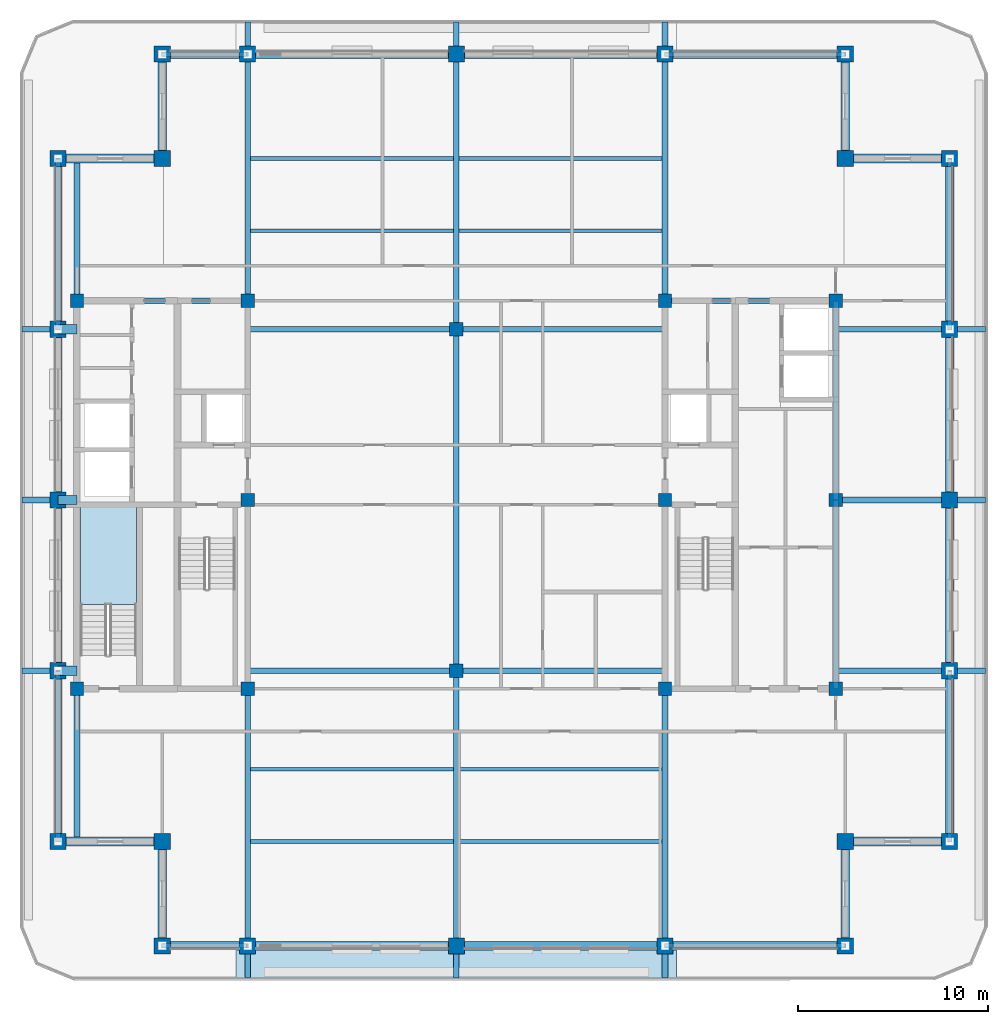
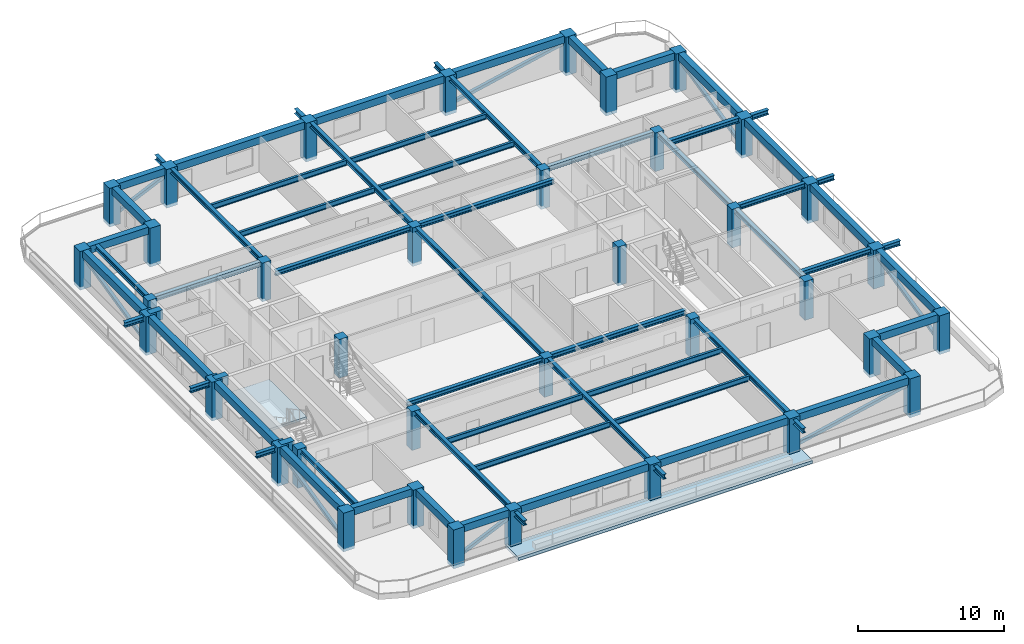
# One storey, part 1 of 11: 67 beams, 37 columns, 8 members, 2 slabs, 1 element without a shape of its own.
"""IFC4 building model written with IfcOpenShell, lengths in metres."""

import ifcopenshell
import ifcopenshell.guid

model = None  # the IFC model being written
_history = None  # IfcOwnerHistory: only IFC2X3 demands one
_inside = {}  # id of a spatial element -> (the spatial element, [elements in it])
_under = {}  # id of a project, library or spatial element -> (it, [spatial elements below it])
_declared = {}  # id of a project -> (the project, [libraries it declares])
_typed = {}  # id of a type object -> (the type object, [elements of that type])
_made_of = {}  # id of a material, layer set ... -> (it, [elements and type objects made of it])


def new_model(schema):
    """Start an empty IFC model of exactly this schema.

    Asked for "IFC4X3", IfcOpenShell would pick the latest addendum, in which some entities
    have other attributes; the version numbers below select the first issue.
    IFC2X3 requires an IfcOwnerHistory on every rooted entity: one is made here for all.
    """
    global model, _history
    if schema == "IFC4X3":
        model = ifcopenshell.file(schema_version=(4, 3, 0, 0))
    else:
        model = ifcopenshell.file(schema=schema)
    _inside.clear()
    _under.clear()
    _declared.clear()
    _typed.clear()
    _made_of.clear()
    _history = None
    if model.schema == "IFC2X3":
        org = make("IfcOrganization", Name="unknown")
        user = make(
            "IfcPersonAndOrganization",
            ThePerson=make("IfcPerson", FamilyName="unknown"),
            TheOrganization=org,
        )
        app = make(
            "IfcApplication",
            ApplicationDeveloper=org,
            Version="unknown",
            ApplicationFullName="unknown",
            ApplicationIdentifier="unknown",
        )
        _history = make(
            "IfcOwnerHistory",
            OwningUser=user,
            OwningApplication=app,
            ChangeAction="ADDED",
            CreationDate=0,
        )
    return model


def make(cls, **values):
    """One entity of the class cls with the attributes given. An attribute that is None is left unset."""
    return model.create_entity(
        cls, **{name: value for name, value in values.items() if value is not None}
    )


def rooted(cls, **values):
    """An entity with a GlobalId (a new one), such as an element, a storey or a relation."""
    return make(cls, GlobalId=ifcopenshell.guid.new(), OwnerHistory=_history, **values)


def si_unit(unit_type, name, prefix=None):
    """IfcSIUnit, for example si_unit("LENGTHUNIT", "METRE", prefix="MILLI")."""
    return make("IfcSIUnit", UnitType=unit_type, Prefix=prefix, Name=name)


def assignment(units):
    """IfcUnitAssignment: the units of a project."""
    return None if units is None else make("IfcUnitAssignment", Units=units)


def point(xyz):
    """IfcCartesianPoint."""
    return None if xyz is None else make("IfcCartesianPoint", Coordinates=xyz)


def direction(xyz):
    """IfcDirection."""
    return None if xyz is None else make("IfcDirection", DirectionRatios=xyz)


def frame(location, z_axis=None, x_axis=None):
    """IfcAxis2Placement3D, a coordinate frame: its origin and axes. An axis left out is left unset."""
    return make(
        "IfcAxis2Placement3D",
        Location=point(location),
        Axis=direction(z_axis),
        RefDirection=direction(x_axis),
    )


def frame_2d(location, x_axis=None):
    """IfcAxis2Placement2D, a coordinate frame in the plane: its origin and x axis."""
    return make(
        "IfcAxis2Placement2D", Location=point(location), RefDirection=direction(x_axis)
    )


def origin():
    """The frame at (0, 0, 0) with its axes left unset."""
    return frame((0.0, 0.0, 0.0))


def origin_2d():
    """The frame at (0, 0) in the plane with its x axis left unset."""
    return frame_2d((0.0, 0.0))


def place(relative_to, where):
    """IfcLocalPlacement: puts the frame where relative to a parent placement (None: the world)."""
    return make(
        "IfcLocalPlacement", PlacementRelTo=relative_to, RelativePlacement=where
    )


def context(
    kind, dimensions, precision=None, world=None, true_north=None, identifier=None
):
    """IfcGeometricRepresentationContext, for example the 3D "Model" context."""
    return make(
        "IfcGeometricRepresentationContext",
        ContextIdentifier=identifier,
        ContextType=kind,
        CoordinateSpaceDimension=dimensions,
        Precision=precision,
        WorldCoordinateSystem=world,
        TrueNorth=true_north,
    )


def subcontext(parent, identifier, kind, view, scale=None):
    """IfcGeometricRepresentationSubContext, for example "Body" below "Model"."""
    return make(
        "IfcGeometricRepresentationSubContext",
        ContextIdentifier=identifier,
        ContextType=kind,
        ParentContext=parent,
        TargetScale=scale,
        TargetView=view,
    )


def project(units=None, contexts=None):
    """IfcProject with its units and contexts."""
    return rooted(
        "IfcProject",
        Name="project",
        RepresentationContexts=contexts,
        UnitsInContext=assignment(units),
    )


def spatial(cls, under=None, at=None, **own):
    """A site, building, storey or space (cls), placed at a placement, below another one or the project."""
    s = rooted(cls, ObjectPlacement=at, **own)
    if under is not None:
        _under.setdefault(under.id(), (under, []))[1].append(s)
    return s


def polyline(points):
    """IfcPolyline through the points."""
    return make("IfcPolyline", Points=[point(p) for p in points])


def profile(cls, at=None, kind="AREA", **sizes):
    """A parametric profile (cls). Its sizes go by their IFC names, for example OverallWidth=200.0."""
    return make(cls, ProfileType=kind, Position=at, **sizes)


def rectangle(**sizes):
    """IfcRectangleProfileDef."""
    return profile("IfcRectangleProfileDef", **sizes)


def hollow_rectangle(**sizes):
    """IfcRectangleHollowProfileDef."""
    return profile("IfcRectangleHollowProfileDef", **sizes)


def i_section(**sizes):
    """IfcIShapeProfileDef."""
    return profile("IfcIShapeProfileDef", **sizes)


def outline(outer, holes=None, kind="AREA"):
    """IfcArbitraryClosedProfileDef: a profile drawn as a closed curve; with holes, ...WithVoids."""
    if holes is None:
        return make("IfcArbitraryClosedProfileDef", ProfileType=kind, OuterCurve=outer)
    return make(
        "IfcArbitraryProfileDefWithVoids",
        ProfileType=kind,
        OuterCurve=outer,
        InnerCurves=holes,
    )


def extrude(swept, where, along, depth):
    """IfcExtrudedAreaSolid: the profile swept, set in the frame where, extruded along a direction by depth."""
    return make(
        "IfcExtrudedAreaSolid",
        SweptArea=swept,
        Position=where,
        ExtrudedDirection=direction(along),
        Depth=depth,
    )


def shape(context_of_items, identifier, shape_type, items):
    """IfcShapeRepresentation: the items that make up one representation, for example the "Body"."""
    return make(
        "IfcShapeRepresentation",
        ContextOfItems=context_of_items,
        RepresentationIdentifier=identifier,
        RepresentationType=shape_type,
        Items=items,
    )


def material(Name=None, Category=None):
    """IfcMaterial."""
    return make("IfcMaterial", Name=Name, Category=Category)


def layer(
    of_material, thickness, ventilated=None, Name=None, Category=None, Priority=None
):
    """IfcMaterialLayer: one layer of a wall or slab, of a material (None: an air gap)."""
    return make(
        "IfcMaterialLayer",
        Material=of_material,
        LayerThickness=thickness,
        IsVentilated=ventilated,
        Name=Name,
        Category=Category,
        Priority=Priority,
    )


def layer_set(layers, Name=None):
    """IfcMaterialLayerSet."""
    return make("IfcMaterialLayerSet", MaterialLayers=layers, LayerSetName=Name)


def material_profile(
    of_material, cross_section, Name=None, Category=None, Priority=None
):
    """IfcMaterialProfile: a cross section and its material."""
    return make(
        "IfcMaterialProfile",
        Name=Name,
        Material=of_material,
        Profile=cross_section,
        Priority=Priority,
        Category=Category,
    )


def profile_set(profiles, Name=None, composite=None):
    """IfcMaterialProfileSet."""
    return make(
        "IfcMaterialProfileSet",
        Name=Name,
        MaterialProfiles=profiles,
        CompositeProfile=composite,
    )


def made_of(thing, what):
    """Note that an element or type object is made of a material, layer set ...; save() writes the relation."""
    if what is not None:
        _made_of.setdefault(what.id(), (what, []))[1].append(thing)
    return thing


def type_object(cls, material=None, **own):
    """A type object (cls), such as IfcWallType, which elements share."""
    return made_of(rooted(cls, **own), material)


def element(
    cls,
    number,
    at=None,
    inside=None,
    cuts=None,
    type_object=None,
    material=None,
    context=None,
    identifier="Body",
    shape_type=None,
    held_by="IfcProductDefinitionShape",
    body=None,
    shapes=None,
    **own,
):
    """One element of the class cls, such as IfcWall. Its Tag is "e" and its number.

    at: its placement. inside: the storey or other place that contains it. cuts: it is an
    opening in that element (IfcRelVoidsElement). A single representation is given by context,
    identifier, shape_type and body (its items); several are given by shapes. held_by: the class
    of the entity that holds the representations. save() writes the other relations.
    """
    e = rooted(cls, Tag="e%d" % number, ObjectPlacement=at, **own)
    if body is not None:
        shapes = [shape(context, identifier, shape_type, body)]
    if shapes is not None:
        e.Representation = make(held_by, Representations=shapes)
    if inside is not None:
        _inside.setdefault(inside.id(), (inside, []))[1].append(e)
    if cuts is not None:
        rooted(
            "IfcRelVoidsElement", RelatingBuildingElement=cuts, RelatedOpeningElement=e
        )
    if type_object is not None:
        _typed.setdefault(type_object.id(), (type_object, []))[1].append(e)
    return made_of(e, material)


def aggregate(whole, parts):
    """IfcRelAggregates: a whole, such as a stair, and the parts it consists of."""
    return rooted("IfcRelAggregates", RelatingObject=whole, RelatedObjects=parts)


def save(model, path):
    """Write the relations noted so far, then the file.

    IfcRelAggregates (storeys below a building ...), IfcRelContainedInSpatialStructure (elements
    in a storey), IfcRelDefinesByType, IfcRelAssociatesMaterial and IfcRelDeclares: one each for
    every whole, place, type object, material and project.
    """
    for whole, parts in _under.values():
        aggregate(whole, parts)
    for where, things in _inside.values():
        rooted(
            "IfcRelContainedInSpatialStructure",
            RelatedElements=things,
            RelatingStructure=where,
        )
    for kind, things in _typed.values():
        rooted("IfcRelDefinesByType", RelatedObjects=things, RelatingType=kind)
    for what, things in _made_of.values():
        rooted("IfcRelAssociatesMaterial", RelatedObjects=things, RelatingMaterial=what)
    for by, libraries in _declared.values():
        rooted("IfcRelDeclares", RelatingContext=by, RelatedDefinitions=libraries)
    model.write(path)


model = new_model("IFC4")

# Units and contexts
model_context = context("Model", 3, precision=1e-05, world=origin(), true_north=direction((0.0, 1.0)))
body_context = subcontext(model_context, "Body", "Model", "MODEL_VIEW")
ifc_project = project(units=[si_unit("LENGTHUNIT", "METRE"), si_unit("AREAUNIT", "SQUARE_METRE"), si_unit("VOLUMEUNIT", "CUBIC_METRE"), si_unit("PLANEANGLEUNIT", "RADIAN"), si_unit("MASSUNIT", "GRAM", prefix="KILO")], contexts=[model_context])

# Site, building, storey
site_placement = place(None, origin())
site = spatial("IfcSite", under=ifc_project, at=site_placement, CompositionType="ELEMENT")
building_placement = place(site_placement, origin())
building = spatial("IfcBuilding", under=site, at=building_placement, Name="Zulmaris Gate Convention Tower", CompositionType="ELEMENT")
storey_placement = place(building_placement, frame((0.0, 0.0, 242.969970703125)))
storey = spatial("IfcBuildingStorey", under=building, at=storey_placement, Name="L64", CompositionType="ELEMENT", Elevation=242.969970703125)

# Columns
ifc_material_1 = material(Name="Concrete C50/60", Category="concrete")
ifc_material_profile_1 = material_profile(ifc_material_1, rectangle(XDim=0.699951171875, YDim=0.699951171875, at=origin_2d()), Name="RC COL 700x700")
ifc_profile_set_1 = profile_set([ifc_material_profile_1], Name="Concrete C50/60")
column_type_1 = type_object("IfcColumnType", Name="COL-RC700", PredefinedType="COLUMN", material=ifc_profile_set_1)
for number, where, z_axis, x_axis, name in (
    (1, (-20.0, -9.949951171875, -0.25), (0.0, 0.0, 1.0), (1.0, 0.0, 0.0), "L64 Column IN--20.00_-9.95"),
    (2, (-20.0, 10.5, -0.25), (0.0, 0.0, 1.0), (1.0, 0.0, 0.0), "L64 Column IN--20.00_+10.50"),
    (3, (-11.0, -9.949951171875, -0.25), (0.0, 0.0, 1.0), (1.0, 0.0, 0.0), "L64 Column IN--11.00_-9.95"),
    (4, (-11.0, 0.0, -0.25), (0.0, 0.0, 1.0), (1.0, 0.0, 0.0), "L64 Column IN--11.00_+0.00"),
    (5, (-11.0, 10.5, -0.25), (0.0, 0.0, 1.0), (1.0, 0.0, 0.0), "L64 Column IN--11.00_+10.50"),
    (6, (11.0, -9.949951171875, -0.25), (0.0, 0.0, 1.0), (1.0, 0.0, 0.0), "L64 Column IN-+11.00_-9.95"),
    (7, (11.0, 0.0, -0.25), (0.0, 0.0, 1.0), (1.0, 0.0, 0.0), "L64 Column IN-+11.00_+0.00"),
    (8, (11.0, 10.5, -0.25), (0.0, 0.0, 1.0), (1.0, 0.0, 0.0), "L64 Column IN-+11.00_+10.50"),
    (9, (20.0, -9.949951171875, -0.25), (0.0, 0.0, 1.0), (1.0, 0.0, 0.0), "L64 Column IN-+20.00_-9.95"),
    (10, (20.0, 10.5, -0.25), (0.0, 0.0, 1.0), (1.0, 0.0, 0.0), "L64 Column IN-+20.00_+10.50"),
    (11, (0.0, -9.0, -0.25), (0.0, 0.0, 1.0), (1.0, 0.0, 0.0), "L64 Column IN-+0.00_-9.00"),
    (12, (0.0, 9.0, -0.25), (0.0, 0.0, 1.0), (1.0, 0.0, 0.0), "L64 Column IN-+0.00_+9.00"),
    (13, (20.0, 0.0, -0.25), (0.0, 0.0, 1.0), (1.0, 0.0, 0.0), "L64 Column IN-+20.00_+0.00"),
):
    element("IfcColumn", number, at=place(storey_placement, frame(where, z_axis=z_axis, x_axis=x_axis)), inside=storey, type_object=column_type_1, Name=name, PredefinedType="COLUMN", context=body_context, shape_type="SweptSolid", body=[
        extrude(rectangle(XDim=0.699951171875, YDim=0.699951171875, at=origin_2d()), origin(), (0.0, 0.0, 1.0), 3.22998046875),
    ])
ifc_material_2 = material(Name="Concrete C60/75", Category="concrete")
ifc_material_profile_2 = material_profile(ifc_material_2, rectangle(XDim=0.85009765625, YDim=0.85009765625, at=origin_2d()), Name="RC COL 850x850")
ifc_profile_set_2 = profile_set([ifc_material_profile_2], Name="Concrete C60/75")
column_type_2 = type_object("IfcColumnType", Name="COL-RC850", PredefinedType="COLUMN", material=ifc_profile_set_2)
for number, where, z_axis, x_axis, name in (
    (14, (-15.5, -23.5, -0.25), (0.0, 0.0, 1.0), (1.0, 0.0, 0.0), "L64 Column PT--15.50_-23.50"),
    (15, (-11.0, -23.5, -0.25), (0.0, 0.0, 1.0), (1.0, 0.0, 0.0), "L64 Column PT--11.00_-23.50"),
    (16, (0.0, -23.5, -0.25), (0.0, 0.0, 1.0), (1.0, 0.0, 0.0), "L64 Column PT-+0.00_-23.50"),
    (17, (11.0, -23.5, -0.25), (0.0, 0.0, 1.0), (1.0, 0.0, 0.0), "L64 Column PT-+11.00_-23.50"),
    (18, (20.5, -23.5, -0.25), (0.0, 0.0, 1.0), (1.0, 0.0, 0.0), "L64 Column PT-+20.50_-23.50"),
    (19, (-15.5, 23.5, -0.25), (0.0, 0.0, 1.0), (1.0, 0.0, 0.0), "L64 Column PT--15.50_+23.50"),
    (20, (-11.0, 23.5, -0.25), (0.0, 0.0, 1.0), (1.0, 0.0, 0.0), "L64 Column PT--11.00_+23.50"),
    (21, (0.0, 23.5, -0.25), (0.0, 0.0, 1.0), (1.0, 0.0, 0.0), "L64 Column PT-+0.00_+23.50"),
    (22, (11.0, 23.5, -0.25), (0.0, 0.0, 1.0), (1.0, 0.0, 0.0), "L64 Column PT-+11.00_+23.50"),
    (23, (20.5, 23.5, -0.25), (0.0, 0.0, 1.0), (1.0, 0.0, 0.0), "L64 Column PT-+20.50_+23.50"),
    (24, (-21.0, -18.0, -0.25), (0.0, 0.0, 1.0), (1.0, 0.0, 0.0), "L64 Column PT--21.00_-18.00"),
    (25, (-21.0, -9.0, -0.25), (0.0, 0.0, 1.0), (1.0, 0.0, 0.0), "L64 Column PT--21.00_-9.00"),
    (26, (-21.0, 0.0, -0.25), (0.0, 0.0, 1.0), (1.0, 0.0, 0.0), "L64 Column PT--21.00_+0.00"),
    (27, (-21.0, 9.0, -0.25), (0.0, 0.0, 1.0), (1.0, 0.0, 0.0), "L64 Column PT--21.00_+9.00"),
    (28, (-21.0, 18.0, -0.25), (0.0, 0.0, 1.0), (1.0, 0.0, 0.0), "L64 Column PT--21.00_+18.00"),
    (29, (26.0, -18.0, -0.25), (0.0, 0.0, 1.0), (1.0, 0.0, 0.0), "L64 Column PT-+26.00_-18.00"),
    (30, (26.0, -9.0, -0.25), (0.0, 0.0, 1.0), (1.0, 0.0, 0.0), "L64 Column PT-+26.00_-9.00"),
    (31, (26.0, 0.0, -0.25), (0.0, 0.0, 1.0), (1.0, 0.0, 0.0), "L64 Column PT-+26.00_+0.00"),
    (32, (26.0, 9.0, -0.25), (0.0, 0.0, 1.0), (1.0, 0.0, 0.0), "L64 Column PT-+26.00_+9.00"),
    (33, (26.0, 18.0, -0.25), (0.0, 0.0, 1.0), (1.0, 0.0, 0.0), "L64 Column PT-+26.00_+18.00"),
    (34, (-15.5, -18.0, -0.25), (0.0, 0.0, 1.0), (1.0, 0.0, 0.0), "L64 Column PT--15.50_-18.00"),
    (35, (20.5, -18.0, -0.25), (0.0, 0.0, 1.0), (1.0, 0.0, 0.0), "L64 Column PT-+20.50_-18.00"),
    (36, (20.5, 18.0, -0.25), (0.0, 0.0, 1.0), (1.0, 0.0, 0.0), "L64 Column PT-+20.50_+18.00"),
    (37, (-15.5, 18.0, -0.25), (0.0, 0.0, 1.0), (1.0, 0.0, 0.0), "L64 Column PT--15.50_+18.00"),
):
    element("IfcColumn", number, at=place(storey_placement, frame(where, z_axis=z_axis, x_axis=x_axis)), inside=storey, type_object=column_type_2, Name=name, PredefinedType="COLUMN", context=body_context, shape_type="SweptSolid", body=[
        extrude(rectangle(XDim=0.85009765625, YDim=0.85009765625, at=origin_2d()), origin(), (0.0, 0.0, 1.0), 3.22998046875),
    ])

# Beams
ifc_material_3 = material(Name="Steel S355", Category="steel")
ifc_material_profile_3 = material_profile(ifc_material_3, i_section(OverallWidth=0.300048828125, OverallDepth=0.39990234375, WebThickness=0.013427734375, FlangeThickness=0.02392578125, FilletRadius=0.027099609375, at=origin_2d()), Name="HEB 400")
ifc_profile_set_3 = profile_set([ifc_material_profile_3], Name="Steel S355")
beam_type_1 = type_object("IfcBeamType", Name="BM-HEB400", PredefinedType="BEAM", material=ifc_profile_set_3)
for number, where, z_axis, x_axis, name in (
    (38, (-11.0, -25.199951171875, 2.64013671875), (0.0, 1.0, 0.0), (-1.0, 0.0, 0.0), "L64 Beam TBRK-L64-S--11"),
    (39, (-11.0, 23.5, 2.64013671875), (0.0, 1.0, 0.0), (-1.0, 0.0, 0.0), "L64 Beam TBRK-L64-N--11"),
    (40, (0.0, -25.199951171875, 2.64013671875), (0.0, 1.0, 0.0), (-1.0, 0.0, 0.0), "L64 Beam TBRK-L64-S-+0"),
    (41, (0.0, 23.5, 2.64013671875), (0.0, 1.0, 0.0), (-1.0, 0.0, 0.0), "L64 Beam TBRK-L64-N-+0"),
    (42, (11.0, -25.199951171875, 2.64013671875), (0.0, 1.0, 0.0), (-1.0, 0.0, 0.0), "L64 Beam TBRK-L64-S-+11"),
    (43, (11.0, 23.5, 2.64013671875), (0.0, 1.0, 0.0), (-1.0, 0.0, 0.0), "L64 Beam TBRK-L64-N-+11"),
):
    element("IfcBeam", number, at=place(storey_placement, frame(where, z_axis=z_axis, x_axis=x_axis)), inside=storey, type_object=beam_type_1, Name=name, PredefinedType="BEAM", context=body_context, shape_type="SweptSolid", body=[
        extrude(i_section(OverallWidth=0.300048828125, OverallDepth=0.39990234375, WebThickness=0.013427734375, FlangeThickness=0.02392578125, FilletRadius=0.027099609375, at=origin_2d()), origin(), (0.0, 0.0, 1.0), 1.699951171875),
    ])
for number, where, z_axis, x_axis, name in (
    (44, (-22.89990234375, -9.0, 2.64013671875), (1.0, 0.0, 0.0), (0.0, 1.0, 0.0), "L64 Beam TBRK-L64-W--9"),
    (45, (26.0, -9.0, 2.64013671875), (1.0, 0.0, 0.0), (0.0, 1.0, 0.0), "L64 Beam TBRK-L64-E--9"),
    (46, (-22.89990234375, 0.0, 2.64013671875), (1.0, 0.0, 0.0), (0.0, 1.0, 0.0), "L64 Beam TBRK-L64-W-+0"),
    (47, (26.0, 0.0, 2.64013671875), (1.0, 0.0, 0.0), (0.0, 1.0, 0.0), "L64 Beam TBRK-L64-E-+0"),
    (48, (-22.89990234375, 9.0, 2.64013671875), (1.0, 0.0, 0.0), (0.0, 1.0, 0.0), "L64 Beam TBRK-L64-W-+9"),
    (49, (26.0, 9.0, 2.64013671875), (1.0, 0.0, 0.0), (0.0, 1.0, 0.0), "L64 Beam TBRK-L64-E-+9"),
):
    element("IfcBeam", number, at=place(storey_placement, frame(where, z_axis=z_axis, x_axis=x_axis)), inside=storey, type_object=beam_type_1, Name=name, PredefinedType="BEAM", context=body_context, shape_type="SweptSolid", body=[
        extrude(i_section(OverallWidth=0.300048828125, OverallDepth=0.39990234375, WebThickness=0.013427734375, FlangeThickness=0.02392578125, FilletRadius=0.027099609375, at=origin_2d()), origin(), (0.0, 0.0, 1.0), 1.89990234375),
    ])
for number, where, z_axis, x_axis, name in (
    (50, (-11.0, -9.0, 2.778076171875), (1.0, 0.0, 0.0), (0.0, 1.0, 0.0), "L64 Beam BM-L64-G01"),
    (51, (0.0, -9.0, 2.778076171875), (1.0, 0.0, 0.0), (0.0, 1.0, 0.0), "L64 Beam BM-L64-G02"),
    (52, (-11.0, 9.0, 2.778076171875), (1.0, 0.0, 0.0), (0.0, 1.0, 0.0), "L64 Beam BM-L64-G03"),
    (53, (0.0, 9.0, 2.778076171875), (1.0, 0.0, 0.0), (0.0, 1.0, 0.0), "L64 Beam BM-L64-G04"),
):
    element("IfcBeam", number, at=place(storey_placement, frame(where, z_axis=z_axis, x_axis=x_axis)), inside=storey, type_object=beam_type_1, Name=name, PredefinedType="BEAM", context=body_context, shape_type="SweptSolid", body=[
        extrude(i_section(OverallWidth=0.300048828125, OverallDepth=0.39990234375, WebThickness=0.013427734375, FlangeThickness=0.02392578125, FilletRadius=0.027099609375, at=origin_2d()), origin(), (0.0, 0.0, 1.0), 11.0),
    ])
beam_1_placement = place(storey_placement, frame((0.0, -23.5, 2.778076171875), z_axis=(0.0, 1.0, 0.0), x_axis=(-1.0, 0.0, 0.0)))
element("IfcBeam", 54, at=beam_1_placement, inside=storey, type_object=beam_type_1, Name="L64 Beam BM-L64-G05", PredefinedType="BEAM", context=body_context, shape_type="SweptSolid", body=[
    extrude(i_section(OverallWidth=0.300048828125, OverallDepth=0.39990234375, WebThickness=0.013427734375, FlangeThickness=0.02392578125, FilletRadius=0.027099609375, at=origin_2d()), origin(), (0.0, 0.0, 1.0), 14.5),
])
beam_2_placement = place(storey_placement, frame((0.0, -9.0, 2.778076171875), z_axis=(0.0, 1.0, 0.0), x_axis=(-1.0, 0.0, 0.0)))
element("IfcBeam", 55, at=beam_2_placement, inside=storey, type_object=beam_type_1, Name="L64 Beam BM-L64-G06", PredefinedType="BEAM", context=body_context, shape_type="SweptSolid", body=[
    extrude(i_section(OverallWidth=0.300048828125, OverallDepth=0.39990234375, WebThickness=0.013427734375, FlangeThickness=0.02392578125, FilletRadius=0.027099609375, at=origin_2d()), origin(), (0.0, 0.0, 1.0), 18.0),
])
beam_3_placement = place(storey_placement, frame((0.0, 9.0, 2.778076171875), z_axis=(0.0, 1.0, 0.0), x_axis=(-1.0, 0.0, 0.0)))
element("IfcBeam", 56, at=beam_3_placement, inside=storey, type_object=beam_type_1, Name="L64 Beam BM-L64-G07", PredefinedType="BEAM", context=body_context, shape_type="SweptSolid", body=[
    extrude(i_section(OverallWidth=0.300048828125, OverallDepth=0.39990234375, WebThickness=0.013427734375, FlangeThickness=0.02392578125, FilletRadius=0.027099609375, at=origin_2d()), origin(), (0.0, 0.0, 1.0), 14.5),
])
beam_4_placement = place(storey_placement, frame((-11.0, -23.5, 2.778076171875), z_axis=(0.0, 1.0, 0.0), x_axis=(-1.0, 0.0, 0.0)))
element("IfcBeam", 57, at=beam_4_placement, inside=storey, type_object=beam_type_1, Name="L64 Beam BM-L64-G08", PredefinedType="BEAM", context=body_context, shape_type="SweptSolid", body=[
    extrude(i_section(OverallWidth=0.300048828125, OverallDepth=0.39990234375, WebThickness=0.013427734375, FlangeThickness=0.02392578125, FilletRadius=0.027099609375, at=origin_2d()), origin(), (0.0, 0.0, 1.0), 13.550048828125),
])
beam_5_placement = place(storey_placement, frame((-11.0, 10.5, 2.778076171875), z_axis=(0.0, 1.0, 0.0), x_axis=(-1.0, 0.0, 0.0)))
element("IfcBeam", 58, at=beam_5_placement, inside=storey, type_object=beam_type_1, Name="L64 Beam BM-L64-G09", PredefinedType="BEAM", context=body_context, shape_type="SweptSolid", body=[
    extrude(i_section(OverallWidth=0.300048828125, OverallDepth=0.39990234375, WebThickness=0.013427734375, FlangeThickness=0.02392578125, FilletRadius=0.027099609375, at=origin_2d()), origin(), (0.0, 0.0, 1.0), 13.0),
])
beam_6_placement = place(storey_placement, frame((11.0, -23.5, 2.778076171875), z_axis=(0.0, 1.0, 0.0), x_axis=(-1.0, 0.0, 0.0)))
element("IfcBeam", 59, at=beam_6_placement, inside=storey, type_object=beam_type_1, Name="L64 Beam BM-L64-G10", PredefinedType="BEAM", context=body_context, shape_type="SweptSolid", body=[
    extrude(i_section(OverallWidth=0.300048828125, OverallDepth=0.39990234375, WebThickness=0.013427734375, FlangeThickness=0.02392578125, FilletRadius=0.027099609375, at=origin_2d()), origin(), (0.0, 0.0, 1.0), 13.550048828125),
])
beam_7_placement = place(storey_placement, frame((11.0, 10.5, 2.778076171875), z_axis=(0.0, 1.0, 0.0), x_axis=(-1.0, 0.0, 0.0)))
element("IfcBeam", 60, at=beam_7_placement, inside=storey, type_object=beam_type_1, Name="L64 Beam BM-L64-G11", PredefinedType="BEAM", context=body_context, shape_type="SweptSolid", body=[
    extrude(i_section(OverallWidth=0.300048828125, OverallDepth=0.39990234375, WebThickness=0.013427734375, FlangeThickness=0.02392578125, FilletRadius=0.027099609375, at=origin_2d()), origin(), (0.0, 0.0, 1.0), 13.0),
])
beam_8_placement = place(storey_placement, frame((-20.0, -18.0, 2.778076171875), z_axis=(0.0, 1.0, 0.0), x_axis=(-1.0, 0.0, 0.0)))
element("IfcBeam", 61, at=beam_8_placement, inside=storey, type_object=beam_type_1, Name="L64 Beam BM-L64-G12", PredefinedType="BEAM", context=body_context, shape_type="SweptSolid", body=[
    extrude(i_section(OverallWidth=0.300048828125, OverallDepth=0.39990234375, WebThickness=0.013427734375, FlangeThickness=0.02392578125, FilletRadius=0.027099609375, at=origin_2d()), origin(), (0.0, 0.0, 1.0), 8.050048828125),
])
beam_9_placement = place(storey_placement, frame((-20.0, 10.5, 2.778076171875), z_axis=(0.0, 1.0, 0.0), x_axis=(-1.0, 0.0, 0.0)))
element("IfcBeam", 62, at=beam_9_placement, inside=storey, type_object=beam_type_1, Name="L64 Beam BM-L64-G13", PredefinedType="BEAM", context=body_context, shape_type="SweptSolid", body=[
    extrude(i_section(OverallWidth=0.300048828125, OverallDepth=0.39990234375, WebThickness=0.013427734375, FlangeThickness=0.02392578125, FilletRadius=0.027099609375, at=origin_2d()), origin(), (0.0, 0.0, 1.0), 7.5),
])
for number, where, z_axis, x_axis, name in (
    (63, (20.0, -9.0, 2.778076171875), (1.0, 0.0, 0.0), (0.0, 1.0, 0.0), "L64 Beam BM-L64-G19"),
    (64, (20.0, 0.0, 2.778076171875), (1.0, 0.0, 0.0), (0.0, 1.0, 0.0), "L64 Beam BM-L64-G20"),
    (65, (20.0, 9.0, 2.778076171875), (1.0, 0.0, 0.0), (0.0, 1.0, 0.0), "L64 Beam BM-L64-G21"),
):
    element("IfcBeam", number, at=place(storey_placement, frame(where, z_axis=z_axis, x_axis=x_axis)), inside=storey, type_object=beam_type_1, Name=name, PredefinedType="BEAM", context=body_context, shape_type="SweptSolid", body=[
        extrude(i_section(OverallWidth=0.300048828125, OverallDepth=0.39990234375, WebThickness=0.013427734375, FlangeThickness=0.02392578125, FilletRadius=0.027099609375, at=origin_2d()), origin(), (0.0, 0.0, 1.0), 6.0),
    ])
for number, where, z_axis, x_axis, name in (
    (66, (-20.0, 10.5, 2.778076171875), (1.0, 0.0, 0.0), (0.0, 1.0, 0.0), "L64 Beam BM-L64-G23"),
    (67, (11.0, 10.5, 2.778076171875), (1.0, 0.0, 0.0), (0.0, 1.0, 0.0), "L64 Beam BM-L64-G25"),
):
    element("IfcBeam", number, at=place(storey_placement, frame(where, z_axis=z_axis, x_axis=x_axis)), inside=storey, type_object=beam_type_1, Name=name, PredefinedType="BEAM", context=body_context, shape_type="SweptSolid", body=[
        extrude(i_section(OverallWidth=0.300048828125, OverallDepth=0.39990234375, WebThickness=0.013427734375, FlangeThickness=0.02392578125, FilletRadius=0.027099609375, at=origin_2d()), origin(), (0.0, 0.0, 1.0), 9.0),
    ])
beam_10_placement = place(storey_placement, frame((20.0, -9.949951171875, 2.778076171875), z_axis=(0.0, 1.0, 0.0), x_axis=(-1.0, 0.0, 0.0)))
element("IfcBeam", 68, at=beam_10_placement, inside=storey, type_object=beam_type_1, Name="L64 Beam BM-L64-G28", PredefinedType="BEAM", context=body_context, shape_type="SweptSolid", body=[
    extrude(i_section(OverallWidth=0.300048828125, OverallDepth=0.39990234375, WebThickness=0.013427734375, FlangeThickness=0.02392578125, FilletRadius=0.027099609375, at=origin_2d()), origin(), (0.0, 0.0, 1.0), 9.949951171875),
])
beam_11_placement = place(storey_placement, frame((20.0, 0.0, 2.778076171875), z_axis=(0.0, 1.0, 0.0), x_axis=(-1.0, 0.0, 0.0)))
element("IfcBeam", 69, at=beam_11_placement, inside=storey, type_object=beam_type_1, Name="L64 Beam BM-L64-G29", PredefinedType="BEAM", context=body_context, shape_type="SweptSolid", body=[
    extrude(i_section(OverallWidth=0.300048828125, OverallDepth=0.39990234375, WebThickness=0.013427734375, FlangeThickness=0.02392578125, FilletRadius=0.027099609375, at=origin_2d()), origin(), (0.0, 0.0, 1.0), 10.5),
])
ifc_material_profile_4 = material_profile(ifc_material_1, rectangle(XDim=0.5, YDim=0.800048828125, at=origin_2d()), Name="RC BEAM 500x800")
ifc_profile_set_4 = profile_set([ifc_material_profile_4], Name="Concrete C50/60")
beam_type_2 = type_object("IfcBeamType", Name="BM-RC500x800", PredefinedType="BEAM", material=ifc_profile_set_4)
for number, where, z_axis, x_axis, name in (
    (70, (-21.0, -9.0, 2.580078125), (1.0, 0.0, 0.0), (0.0, 1.0, 0.0), "L64 Beam BM-L64-G16"),
    (71, (-21.0, 0.0, 2.580078125), (1.0, 0.0, 0.0), (0.0, 1.0, 0.0), "L64 Beam BM-L64-G17"),
    (72, (-21.0, 9.0, 2.580078125), (1.0, 0.0, 0.0), (0.0, 1.0, 0.0), "L64 Beam BM-L64-G18"),
):
    element("IfcBeam", number, at=place(storey_placement, frame(where, z_axis=z_axis, x_axis=x_axis)), inside=storey, type_object=beam_type_2, Name=name, PredefinedType="BEAM", context=body_context, shape_type="SweptSolid", body=[
        extrude(rectangle(XDim=0.5, YDim=0.800048828125, at=origin_2d()), origin(), (0.0, 0.0, 1.0), 1.0),
    ])
ifc_material_4 = material(Name="Precast concrete C50/60", Category="concrete")
ifc_material_profile_5 = material_profile(ifc_material_4, rectangle(XDim=0.449951171875, YDim=0.60009765625, at=origin_2d()), Name="RC SPANDREL 450x600")
ifc_profile_set_5 = profile_set([ifc_material_profile_5], Name="Precast concrete C50/60")
beam_type_3 = type_object("IfcBeamType", Name="BM-SP450x600", PredefinedType="SPANDREL", material=ifc_profile_set_5)
beam_12_placement = place(storey_placement, frame((-15.5, -23.5, 2.679931640625), z_axis=(1.0, 0.0, 0.0), x_axis=(0.0, 1.0, 0.0)))
element("IfcBeam", 73, at=beam_12_placement, inside=storey, type_object=beam_type_3, Name="L64 Spandrel SP-L64-01", PredefinedType="SPANDREL", context=body_context, shape_type="SweptSolid", body=[
    extrude(rectangle(XDim=0.449951171875, YDim=0.60009765625, at=origin_2d()), origin(), (0.0, 0.0, 1.0), 4.5),
])
for number, where, z_axis, x_axis, name in (
    (74, (-11.0, -23.5, 2.679931640625), (1.0, 0.0, 0.0), (0.0, 1.0, 0.0), "L64 Spandrel SP-L64-02"),
    (75, (0.0, -23.5, 2.679931640625), (1.0, 0.0, 0.0), (0.0, 1.0, 0.0), "L64 Spandrel SP-L64-03"),
):
    element("IfcBeam", number, at=place(storey_placement, frame(where, z_axis=z_axis, x_axis=x_axis)), inside=storey, type_object=beam_type_3, Name=name, PredefinedType="SPANDREL", context=body_context, shape_type="SweptSolid", body=[
        extrude(rectangle(XDim=0.449951171875, YDim=0.60009765625, at=origin_2d()), origin(), (0.0, 0.0, 1.0), 11.0),
    ])
beam_13_placement = place(storey_placement, frame((11.0, -23.5, 2.679931640625), z_axis=(1.0, 0.0, 0.0), x_axis=(0.0, 1.0, 0.0)))
element("IfcBeam", 76, at=beam_13_placement, inside=storey, type_object=beam_type_3, Name="L64 Spandrel SP-L64-04", PredefinedType="SPANDREL", context=body_context, shape_type="SweptSolid", body=[
    extrude(rectangle(XDim=0.449951171875, YDim=0.60009765625, at=origin_2d()), origin(), (0.0, 0.0, 1.0), 9.5),
])
for number, where, z_axis, x_axis, name in (
    (77, (20.5, -23.5, 2.679931640625), (0.0, 1.0, 0.0), (-1.0, 0.0, 0.0), "L64 Spandrel SP-L64-05"),
    (78, (20.5, -18.0, 2.679931640625), (1.0, 0.0, 0.0), (0.0, 1.0, 0.0), "L64 Spandrel SP-L64-06"),
):
    element("IfcBeam", number, at=place(storey_placement, frame(where, z_axis=z_axis, x_axis=x_axis)), inside=storey, type_object=beam_type_3, Name=name, PredefinedType="SPANDREL", context=body_context, shape_type="SweptSolid", body=[
        extrude(rectangle(XDim=0.449951171875, YDim=0.60009765625, at=origin_2d()), origin(), (0.0, 0.0, 1.0), 5.5),
    ])
for number, where, z_axis, x_axis, name in (
    (79, (26.0, -18.0, 2.679931640625), (0.0, 1.0, 0.0), (-1.0, 0.0, 0.0), "L64 Spandrel SP-L64-07"),
    (80, (26.0, -9.0, 2.679931640625), (0.0, 1.0, 0.0), (-1.0, 0.0, 0.0), "L64 Spandrel SP-L64-08"),
    (81, (26.0, 0.0, 2.679931640625), (0.0, 1.0, 0.0), (-1.0, 0.0, 0.0), "L64 Spandrel SP-L64-09"),
    (82, (26.0, 9.0, 2.679931640625), (0.0, 1.0, 0.0), (-1.0, 0.0, 0.0), "L64 Spandrel SP-L64-10"),
):
    element("IfcBeam", number, at=place(storey_placement, frame(where, z_axis=z_axis, x_axis=x_axis)), inside=storey, type_object=beam_type_3, Name=name, PredefinedType="SPANDREL", context=body_context, shape_type="SweptSolid", body=[
        extrude(rectangle(XDim=0.449951171875, YDim=0.60009765625, at=origin_2d()), origin(), (0.0, 0.0, 1.0), 9.0),
    ])
for number, where, z_axis, x_axis, name in (
    (83, (26.0, 18.0, 2.679931640625), (-1.0, 0.0, 0.0), (0.0, -1.0, 0.0), "L64 Spandrel SP-L64-11"),
    (84, (20.5, 18.0, 2.679931640625), (0.0, 1.0, 0.0), (-1.0, 0.0, 0.0), "L64 Spandrel SP-L64-12"),
):
    element("IfcBeam", number, at=place(storey_placement, frame(where, z_axis=z_axis, x_axis=x_axis)), inside=storey, type_object=beam_type_3, Name=name, PredefinedType="SPANDREL", context=body_context, shape_type="SweptSolid", body=[
        extrude(rectangle(XDim=0.449951171875, YDim=0.60009765625, at=origin_2d()), origin(), (0.0, 0.0, 1.0), 5.5),
    ])
beam_14_placement = place(storey_placement, frame((20.5, 23.5, 2.679931640625), z_axis=(-1.0, 0.0, 0.0), x_axis=(0.0, -1.0, 0.0)))
element("IfcBeam", 85, at=beam_14_placement, inside=storey, type_object=beam_type_3, Name="L64 Spandrel SP-L64-13", PredefinedType="SPANDREL", context=body_context, shape_type="SweptSolid", body=[
    extrude(rectangle(XDim=0.449951171875, YDim=0.60009765625, at=origin_2d()), origin(), (0.0, 0.0, 1.0), 9.5),
])
for number, where, z_axis, x_axis, name in (
    (86, (11.0, 23.5, 2.679931640625), (-1.0, 0.0, 0.0), (0.0, -1.0, 0.0), "L64 Spandrel SP-L64-14"),
    (87, (0.0, 23.5, 2.679931640625), (-1.0, 0.0, 0.0), (0.0, -1.0, 0.0), "L64 Spandrel SP-L64-15"),
):
    element("IfcBeam", number, at=place(storey_placement, frame(where, z_axis=z_axis, x_axis=x_axis)), inside=storey, type_object=beam_type_3, Name=name, PredefinedType="SPANDREL", context=body_context, shape_type="SweptSolid", body=[
        extrude(rectangle(XDim=0.449951171875, YDim=0.60009765625, at=origin_2d()), origin(), (0.0, 0.0, 1.0), 11.0),
    ])
beam_15_placement = place(storey_placement, frame((-11.0, 23.5, 2.679931640625), z_axis=(-1.0, 0.0, 0.0), x_axis=(0.0, -1.0, 0.0)))
element("IfcBeam", 88, at=beam_15_placement, inside=storey, type_object=beam_type_3, Name="L64 Spandrel SP-L64-16", PredefinedType="SPANDREL", context=body_context, shape_type="SweptSolid", body=[
    extrude(rectangle(XDim=0.449951171875, YDim=0.60009765625, at=origin_2d()), origin(), (0.0, 0.0, 1.0), 4.5),
])
for number, where, z_axis, x_axis, name in (
    (89, (-15.5, 23.5, 2.679931640625), (0.0, -1.0, 0.0), (1.0, 0.0, 0.0), "L64 Spandrel SP-L64-17"),
    (90, (-15.5, 18.0, 2.679931640625), (-1.0, 0.0, 0.0), (0.0, -1.0, 0.0), "L64 Spandrel SP-L64-18"),
):
    element("IfcBeam", number, at=place(storey_placement, frame(where, z_axis=z_axis, x_axis=x_axis)), inside=storey, type_object=beam_type_3, Name=name, PredefinedType="SPANDREL", context=body_context, shape_type="SweptSolid", body=[
        extrude(rectangle(XDim=0.449951171875, YDim=0.60009765625, at=origin_2d()), origin(), (0.0, 0.0, 1.0), 5.5),
    ])
for number, where, z_axis, x_axis, name in (
    (91, (-21.0, 18.0, 2.679931640625), (0.0, -1.0, 0.0), (1.0, 0.0, 0.0), "L64 Spandrel SP-L64-19"),
    (92, (-21.0, 9.0, 2.679931640625), (0.0, -1.0, 0.0), (1.0, 0.0, 0.0), "L64 Spandrel SP-L64-20"),
    (93, (-21.0, 0.0, 2.679931640625), (0.0, -1.0, 0.0), (1.0, 0.0, 0.0), "L64 Spandrel SP-L64-21"),
    (94, (-21.0, -9.0, 2.679931640625), (0.0, -1.0, 0.0), (1.0, 0.0, 0.0), "L64 Spandrel SP-L64-22"),
):
    element("IfcBeam", number, at=place(storey_placement, frame(where, z_axis=z_axis, x_axis=x_axis)), inside=storey, type_object=beam_type_3, Name=name, PredefinedType="SPANDREL", context=body_context, shape_type="SweptSolid", body=[
        extrude(rectangle(XDim=0.449951171875, YDim=0.60009765625, at=origin_2d()), origin(), (0.0, 0.0, 1.0), 9.0),
    ])
for number, where, z_axis, x_axis, name in (
    (95, (-21.0, -18.0, 2.679931640625), (1.0, 0.0, 0.0), (0.0, 1.0, 0.0), "L64 Spandrel SP-L64-23"),
    (96, (-15.5, -18.0, 2.679931640625), (0.0, -1.0, 0.0), (1.0, 0.0, 0.0), "L64 Spandrel SP-L64-24"),
):
    element("IfcBeam", number, at=place(storey_placement, frame(where, z_axis=z_axis, x_axis=x_axis)), inside=storey, type_object=beam_type_3, Name=name, PredefinedType="SPANDREL", context=body_context, shape_type="SweptSolid", body=[
        extrude(rectangle(XDim=0.449951171875, YDim=0.60009765625, at=origin_2d()), origin(), (0.0, 0.0, 1.0), 5.5),
    ])

# Members
ifc_material_profile_6 = material_profile(ifc_material_3, hollow_rectangle(XDim=0.25, YDim=0.25, WallThickness=0.012451171875, at=origin_2d()), Name="SHS 250x250x12.5")
ifc_profile_set_6 = profile_set([ifc_material_profile_6], Name="Steel S355")
member_type = type_object("IfcMemberType", Name="BR-SHS250", PredefinedType="BRACE", material=ifc_profile_set_6)
for number, where, z_axis, x_axis, name in (
    (97, (-21.0, -18.0, 0.300048828125), (0.0, 0.974789860724, 0.223124914409), (-1.0, 0.0, 0.0), "L64 Perimeter Tube Diagonal SW-W"),
    (98, (-21.0, 9.0, 0.300048828125), (0.0, 0.974789860724, 0.223124914409), (-1.0, 0.0, 0.0), "L64 Perimeter Tube Diagonal NW-W"),
    (99, (26.0, -18.0, 0.300048828125), (0.0, 0.974789860724, 0.223124914409), (-1.0, 0.0, 0.0), "L64 Perimeter Tube Diagonal SE-E"),
    (100, (26.0, 9.0, 0.300048828125), (0.0, 0.974789860724, 0.223124914409), (-1.0, 0.0, 0.0), "L64 Perimeter Tube Diagonal NE-E"),
):
    element("IfcMember", number, at=place(storey_placement, frame(where, z_axis=z_axis, x_axis=x_axis)), inside=storey, type_object=member_type, Name=name, PredefinedType="BRACE", context=body_context, shape_type="SweptSolid", body=[
        extrude(hollow_rectangle(XDim=0.25, YDim=0.25, WallThickness=0.012451171875, at=origin_2d()), origin(), (0.0, 0.0, 1.0), 9.232666015625),
    ])
member_1_placement = place(storey_placement, frame((-15.5, -23.5, 0.300048828125), z_axis=(0.909251577034, 0.0, 0.416247005589), x_axis=(0.0, 1.0, 0.0)))
element("IfcMember", 101, at=member_1_placement, inside=storey, type_object=member_type, Name="L64 Perimeter Tube Diagonal SW-S", PredefinedType="BRACE", context=body_context, shape_type="SweptSolid", body=[
    extrude(hollow_rectangle(XDim=0.25, YDim=0.25, WallThickness=0.012451171875, at=origin_2d()), origin(), (0.0, 0.0, 1.0), 4.94921875),
])
member_2_placement = place(storey_placement, frame((11.0, -23.5, 0.300048828125), z_axis=(0.977286395287, 0.0, 0.21192286707), x_axis=(0.0, 1.0, 0.0)))
element("IfcMember", 102, at=member_2_placement, inside=storey, type_object=member_type, Name="L64 Perimeter Tube Diagonal SE-S", PredefinedType="BRACE", context=body_context, shape_type="SweptSolid", body=[
    extrude(hollow_rectangle(XDim=0.25, YDim=0.25, WallThickness=0.012451171875, at=origin_2d()), origin(), (0.0, 0.0, 1.0), 9.720703125),
])
member_3_placement = place(storey_placement, frame((-15.5, 23.5, 0.300048828125), z_axis=(0.909251577034, 0.0, 0.416247005589), x_axis=(0.0, 1.0, 0.0)))
element("IfcMember", 103, at=member_3_placement, inside=storey, type_object=member_type, Name="L64 Perimeter Tube Diagonal NW-N", PredefinedType="BRACE", context=body_context, shape_type="SweptSolid", body=[
    extrude(hollow_rectangle(XDim=0.25, YDim=0.25, WallThickness=0.012451171875, at=origin_2d()), origin(), (0.0, 0.0, 1.0), 4.94921875),
])
member_4_placement = place(storey_placement, frame((11.0, 23.5, 0.300048828125), z_axis=(0.977286395287, 0.0, 0.21192286707), x_axis=(0.0, 1.0, 0.0)))
element("IfcMember", 104, at=member_4_placement, inside=storey, type_object=member_type, Name="L64 Perimeter Tube Diagonal NE-N", PredefinedType="BRACE", context=body_context, shape_type="SweptSolid", body=[
    extrude(hollow_rectangle(XDim=0.25, YDim=0.25, WallThickness=0.012451171875, at=origin_2d()), origin(), (0.0, 0.0, 1.0), 9.720703125),
])

# Beams
ifc_material_profile_7 = material_profile(ifc_material_3, i_section(OverallWidth=0.18994140625, OverallDepth=0.449951171875, WebThickness=0.009521484375, FlangeThickness=0.0146484375, FilletRadius=0.02099609375, at=origin_2d()), Name="IPE 450")
ifc_profile_set_7 = profile_set([ifc_material_profile_7], Name="Steel S355")
beam_type_4 = type_object("IfcBeamType", Name="JT-IPE450", PredefinedType="JOIST", material=ifc_profile_set_7)
for number, where, z_axis, x_axis, name in (
    (105, (-10.85009765625, -18.0, 2.7529296875), (1.0, 0.0, 0.0), (0.0, 1.0, 0.0), "L64 Joist JT-L64-CW--18.0"),
    (106, (0.14990234375, -18.0, 2.7529296875), (1.0, 0.0, 0.0), (0.0, 1.0, 0.0), "L64 Joist JT-L64-CE--18.0"),
    (107, (-10.85009765625, -14.199951171875, 2.7529296875), (1.0, 0.0, 0.0), (0.0, 1.0, 0.0), "L64 Joist JT-L64-CW--14.2"),
    (108, (0.14990234375, -14.199951171875, 2.7529296875), (1.0, 0.0, 0.0), (0.0, 1.0, 0.0), "L64 Joist JT-L64-CE--14.2"),
    (109, (-10.85009765625, 14.199951171875, 2.7529296875), (1.0, 0.0, 0.0), (0.0, 1.0, 0.0), "L64 Joist JT-L64-CW-+14.2"),
    (110, (0.14990234375, 14.199951171875, 2.7529296875), (1.0, 0.0, 0.0), (0.0, 1.0, 0.0), "L64 Joist JT-L64-CE-+14.2"),
    (111, (-10.85009765625, 18.0, 2.7529296875), (1.0, 0.0, 0.0), (0.0, 1.0, 0.0), "L64 Joist JT-L64-CW-+18.0"),
    (112, (0.14990234375, 18.0, 2.7529296875), (1.0, 0.0, 0.0), (0.0, 1.0, 0.0), "L64 Joist JT-L64-CE-+18.0"),
):
    element("IfcBeam", number, at=place(storey_placement, frame(where, z_axis=z_axis, x_axis=x_axis)), inside=storey, type_object=beam_type_4, Name=name, PredefinedType="JOIST", context=body_context, shape_type="SweptSolid", body=[
        extrude(i_section(OverallWidth=0.18994140625, OverallDepth=0.449951171875, WebThickness=0.009521484375, FlangeThickness=0.0146484375, FilletRadius=0.02099609375, at=origin_2d()), origin(), (0.0, 0.0, 1.0), 10.7001953125),
    ])

# Slab
ifc_layer_1 = layer(ifc_material_4, 0.260009765625, Name="Precast concrete C50/60")
ifc_layer_set_1 = layer_set([ifc_layer_1], Name="Precast concrete C50/60")
slab_type_1 = type_object("IfcSlabType", Name="SL-BAL-260", PredefinedType="FLOOR", material=ifc_layer_set_1)
slab_1_placement = place(storey_placement, frame((0.0, 0.0, -0.25)))
element("IfcSlab", 113, at=slab_1_placement, inside=storey, type_object=slab_type_1, Name="L64 South Tree-Balcony Planter Slab", PredefinedType="FLOOR", context=body_context, shape_type="SweptSolid", body=[
    extrude(outline(polyline([(-11.597900390625, -25.300048828125), (-11.597900390625, -23.5), (11.597900390625, -23.5), (11.597900390625, -25.300048828125), (-11.597900390625, -25.300048828125)])), origin(), (0.0, 0.0, 1.0), 0.260009765625),
])

# Stair, slab
ifc_material_5 = material(Name="Concrete C45/55", Category="concrete")
stair_type = type_object("IfcStairType", Name="ST-CORE-DOGLEG", PredefinedType="HALF_TURN_STAIR", material=ifc_material_5)
stair_placement = place(storey_placement, origin())
stair = element("IfcStair", 114, at=stair_placement, inside=storey, type_object=stair_type, Name="L64 Core Exit Stair ST-3", PredefinedType="HALF_TURN_STAIR")
ifc_layer_2 = layer(ifc_material_5, 0.199951171875, Name="Concrete C45/55")
ifc_layer_set_2 = layer_set([ifc_layer_2], Name="Concrete C45/55")
slab_type_2 = type_object("IfcSlabType", Name="SL-LND-200", PredefinedType="LANDING", material=ifc_layer_set_2)
slab_2_placement = place(storey_placement, frame((0.0, 0.0, 1.4150390625)))
slab_2 = element("IfcSlab", 115, at=slab_2_placement, type_object=slab_type_2, Name="ST-3 landing 1", PredefinedType="LANDING", context=body_context, shape_type="SweptSolid", body=[
    extrude(outline(polyline([(-16.860107421875, -5.5), (-16.860107421875, -0.35009765625), (-19.820068359375, -0.35009765625), (-19.820068359375, -5.5), (-16.860107421875, -5.5)])), origin(), (0.0, 0.0, 1.0), 0.199951171875),
])
aggregate(stair, [slab_2])

save(model, "model.ifc")
